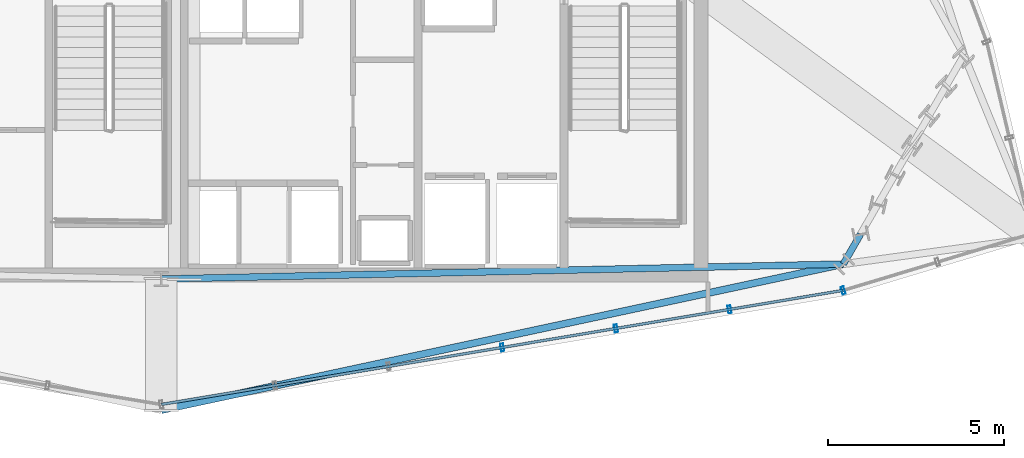
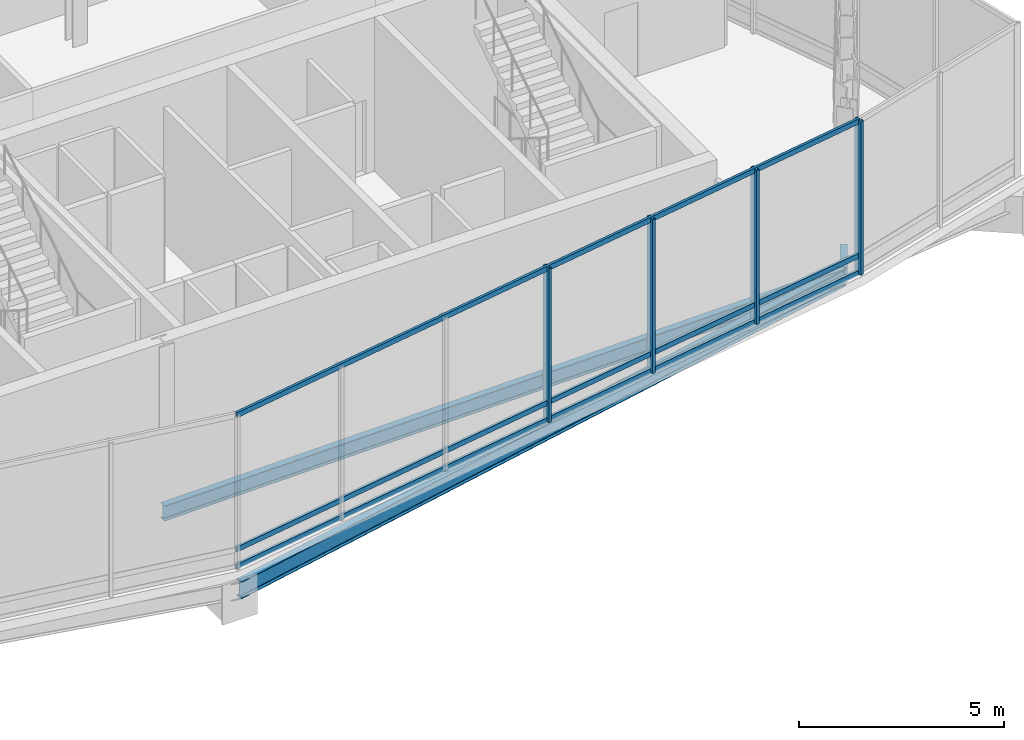
# One storey, part 9 of 28: 7 members, 3 beams, 2 elements without a shape of their own.
"""IFC4 building model written with IfcOpenShell, lengths in metres."""

from ifc_helpers import new_model, si_unit, direction, frame, origin, origin_2d, place, context, subcontext, project, spatial, hollow_rectangle, i_section, extrude, material, layer, layer_set, material_profile, profile_set, type_object, element, aggregate, save


model = new_model("IFC4")

# Units and contexts
model_context = context("Model", 3, precision=1e-05, world=origin(), true_north=direction((0.0, 1.0)))
body_context = subcontext(model_context, "Body", "Model", "MODEL_VIEW")
ifc_project = project(units=[si_unit("LENGTHUNIT", "METRE"), si_unit("AREAUNIT", "SQUARE_METRE"), si_unit("VOLUMEUNIT", "CUBIC_METRE"), si_unit("PLANEANGLEUNIT", "RADIAN"), si_unit("MASSUNIT", "GRAM", prefix="KILO")], contexts=[model_context])

# Site, building, storey
site_placement = place(None, origin())
site = spatial("IfcSite", under=ifc_project, at=site_placement, CompositionType="ELEMENT")
building_placement = place(site_placement, origin())
building = spatial("IfcBuilding", under=site, at=building_placement, Name="Ndaravel Arena Tower", CompositionType="ELEMENT")
storey_placement = place(building_placement, frame((0.0, 0.0, 213.199951171875)))
storey = spatial("IfcBuildingStorey", under=building, at=storey_placement, Name="L51", CompositionType="ELEMENT", Elevation=213.199951171875)

# Beams
ifc_material_1 = material(Name="Steel S355", Category="steel")
ifc_material_profile_1 = material_profile(ifc_material_1, i_section(OverallWidth=0.18994140625, OverallDepth=0.449951171875, WebThickness=0.009521484375, FlangeThickness=0.0146484375, FilletRadius=0.02099609375, at=origin_2d()), Name="IPE 450")
ifc_profile_set_1 = profile_set([ifc_material_profile_1], Name="Steel S355")
beam_type_1 = type_object("IfcBeamType", Name="BM-SPAN-IPE450", PredefinedType="SPANDREL", material=ifc_profile_set_1)
beam_1_placement = place(storey_placement, frame((42.0, 5.47998046875, -0.5048828125), z_axis=(0.99976055023, 0.021882463365, 0.0), x_axis=(-0.021882463365, 0.99976055023, 0.0)))
element("IfcBeam", 1, at=beam_1_placement, inside=storey, type_object=beam_type_1, Name="L51 Perimeter Spandrel Beam SP-01", PredefinedType="SPANDREL", context=body_context, shape_type="SweptSolid", body=[
    extrude(i_section(OverallWidth=0.18994140625, OverallDepth=0.449951171875, WebThickness=0.009521484375, FlangeThickness=0.0146484375, FilletRadius=0.02099609375, at=origin_2d()), origin(), (0.0, 0.0, 1.0), 19.40185546875),
])
beam_2_placement = place(storey_placement, frame((61.397216796875, 5.904541015625, -0.5048828125), z_axis=(0.499808686542, 0.866135830489, 0.0), x_axis=(-0.866135830489, 0.499808686542, 0.0)))
element("IfcBeam", 2, at=beam_2_placement, inside=storey, type_object=beam_type_1, Name="L51 Perimeter Spandrel Beam SP-02", PredefinedType="SPANDREL", context=body_context, shape_type="SweptSolid", body=[
    extrude(i_section(OverallWidth=0.18994140625, OverallDepth=0.449951171875, WebThickness=0.009521484375, FlangeThickness=0.0146484375, FilletRadius=0.02099609375, at=origin_2d()), origin(), (0.0, 0.0, 1.0), 0.98046875),
])
ifc_material_2 = material(Name="Steel S355", Category="steel")
ifc_material_profile_2 = material_profile(ifc_material_2, i_section(OverallWidth=0.199951171875, OverallDepth=0.5, WebThickness=0.01025390625, FlangeThickness=0.01611328125, FilletRadius=0.02099609375, at=origin_2d()), Name="IPE 500")
ifc_profile_set_2 = profile_set([ifc_material_profile_2], Name="Steel S355")
beam_type_2 = type_object("IfcBeamType", Name="BM-SPAN-IPE500", PredefinedType="SPANDREL", material=ifc_profile_set_2)
beam_3_placement = place(storey_placement, frame((42.0, 1.75, -0.530029296875), z_axis=(0.977823121497, 0.209432430788, 0.0), x_axis=(-0.209432430788, 0.977823121497, 0.0)))
element("IfcBeam", 3, at=beam_3_placement, inside=storey, type_object=beam_type_2, Name="L51 Star Facet Edge Beam SEB-2", PredefinedType="SPANDREL", context=body_context, shape_type="SweptSolid", body=[
    extrude(i_section(OverallWidth=0.199951171875, OverallDepth=0.5, WebThickness=0.01025390625, FlangeThickness=0.01611328125, FilletRadius=0.02099609375, at=origin_2d()), origin(), (0.0, 0.0, 1.0), 19.837158203125),
])

# Curtain wall, members
ifc_material_3 = material(Name="Aluminium", Category="aluminium")
ifc_layer = layer(ifc_material_3, 0.179931640625)
ifc_layer_set = layer_set([ifc_layer], Name="Aluminium")
curtain_wall_type = type_object("IfcCurtainWallType", Name="CW-SYS-04", PredefinedType="NOTDEFINED", material=ifc_layer_set)
curtain_wall_1_placement = place(storey_placement, origin())
curtain_wall_1 = element("IfcCurtainWall", 4, at=curtain_wall_1_placement, inside=storey, type_object=curtain_wall_type, Name="L51 Faceted Crystal Curtain Wall CW-L51-E03", PredefinedType="NOTDEFINED")
ifc_material_4 = material(Name="Aluminium", Category="aluminium")
ifc_material_profile_3 = material_profile(ifc_material_4, hollow_rectangle(XDim=0.090087890625, YDim=0.219970703125, WallThickness=0.0048828125, at=origin_2d()), Name="CW MULLION 90x220x5")
ifc_profile_set_3 = profile_set([ifc_material_profile_3], Name="Aluminium")
member_type_1 = type_object("IfcMemberType", Name="MEM-CW-MUL220", PredefinedType="MULLION", material=ifc_profile_set_3)
member_1_placement = place(storey_placement, frame((51.6962890625, 3.5341796875, 0.0), z_axis=(0.0, 0.0, 1.0), x_axis=(0.98629712163, 0.164978749734, 0.0)))
member_1 = element("IfcMember", 5, at=member_1_placement, type_object=member_type_1, Name="CW-L51-E03 Mullion 03", PredefinedType="MULLION", context=body_context, shape_type="SweptSolid", body=[
    extrude(hollow_rectangle(XDim=0.090087890625, YDim=0.219970703125, WallThickness=0.0048828125, at=origin_2d()), origin(), (0.0, 0.0, 1.0), 4.580078125),
])
member_2_placement = place(storey_placement, frame((54.928466796875, 4.07470703125, 0.0), z_axis=(0.0, 0.0, 1.0), x_axis=(0.98629712163, 0.164978749734, 0.0)))
member_2 = element("IfcMember", 6, at=member_2_placement, type_object=member_type_1, Name="CW-L51-E03 Mullion 04", PredefinedType="MULLION", context=body_context, shape_type="SweptSolid", body=[
    extrude(hollow_rectangle(XDim=0.090087890625, YDim=0.219970703125, WallThickness=0.0048828125, at=origin_2d()), origin(), (0.0, 0.0, 1.0), 4.580078125),
])
member_3_placement = place(storey_placement, frame((58.16064453125, 4.615478515625, 0.0), z_axis=(0.0, 0.0, 1.0), x_axis=(0.98629712163, 0.164978749734, 0.0)))
member_3 = element("IfcMember", 7, at=member_3_placement, type_object=member_type_1, Name="CW-L51-E03 Mullion 05", PredefinedType="MULLION", context=body_context, shape_type="SweptSolid", body=[
    extrude(hollow_rectangle(XDim=0.090087890625, YDim=0.219970703125, WallThickness=0.0048828125, at=origin_2d()), origin(), (0.0, 0.0, 1.0), 4.580078125),
])

# Curtain wall, member
curtain_wall_2_placement = place(storey_placement, origin())
curtain_wall_2 = element("IfcCurtainWall", 8, at=curtain_wall_2_placement, inside=storey, type_object=curtain_wall_type, Name="L51 Faceted Crystal Curtain Wall CW-L51-E04", PredefinedType="NOTDEFINED")
member_4_placement = place(storey_placement, frame((61.392578125, 5.156005859375, 0.0), z_axis=(0.0, 0.0, 1.0), x_axis=(0.957576390633, 0.288179555317, 0.0)))
member_4 = element("IfcMember", 9, at=member_4_placement, type_object=member_type_1, Name="CW-L51-E04 Mullion 00", PredefinedType="MULLION", context=body_context, shape_type="SweptSolid", body=[
    extrude(hollow_rectangle(XDim=0.090087890625, YDim=0.219970703125, WallThickness=0.0048828125, at=origin_2d()), origin(), (0.0, 0.0, 1.0), 4.580078125),
])
aggregate(curtain_wall_2, [member_4])

# Member
ifc_material_5 = material(Name="Aluminium", Category="aluminium")
ifc_material_profile_4 = material_profile(ifc_material_5, hollow_rectangle(XDim=0.074951171875, YDim=0.14990234375, WallThickness=0.00390625, at=origin_2d()), Name="CW TRANSOM 75x150x4")
ifc_profile_set_4 = profile_set([ifc_material_profile_4], Name="Aluminium")
member_type_2 = type_object("IfcMemberType", Name="MEM-CW-TRN150", PredefinedType="USERDEFINED", material=ifc_profile_set_4)
member_5_placement = place(storey_placement, frame((42.0, 1.912109375, 0.0400390625), z_axis=(0.986296429619, 0.16498288675, 0.0), x_axis=(-0.16498288675, 0.986296429619, 0.0)))
member_5 = element("IfcMember", 10, at=member_5_placement, type_object=member_type_2, Name="CW-L51-E03 Transom 01", ObjectType="TRANSOM", PredefinedType="USERDEFINED", context=body_context, shape_type="SweptSolid", body=[
    extrude(hollow_rectangle(XDim=0.074951171875, YDim=0.14990234375, WallThickness=0.00390625, at=origin_2d()), origin(), (0.0, 0.0, 1.0), 19.662109375),
])

member_6_placement = place(storey_placement, frame((42.0, 1.912109375, 0.550048828125), z_axis=(0.986296429619, 0.16498288675, 0.0), x_axis=(-0.16498288675, 0.986296429619, 0.0)))
member_6 = element("IfcMember", 11, at=member_6_placement, type_object=member_type_2, Name="CW-L51-E03 Transom 02", ObjectType="TRANSOM", PredefinedType="USERDEFINED", context=body_context, shape_type="SweptSolid", body=[
    extrude(hollow_rectangle(XDim=0.074951171875, YDim=0.14990234375, WallThickness=0.00390625, at=origin_2d()), origin(), (0.0, 0.0, 1.0), 19.662109375),
])

member_7_placement = place(storey_placement, frame((42.0, 1.912109375, 4.5400390625), z_axis=(0.986296429619, 0.16498288675, 0.0), x_axis=(-0.16498288675, 0.986296429619, 0.0)))
member_7 = element("IfcMember", 12, at=member_7_placement, type_object=member_type_2, Name="CW-L51-E03 Transom 03", ObjectType="TRANSOM", PredefinedType="USERDEFINED", context=body_context, shape_type="SweptSolid", body=[
    extrude(hollow_rectangle(XDim=0.074951171875, YDim=0.14990234375, WallThickness=0.00390625, at=origin_2d()), origin(), (0.0, 0.0, 1.0), 19.662109375),
])

aggregate(curtain_wall_1, [member_1, member_2, member_3, member_5, member_6, member_7])

save(model, "model.ifc")
